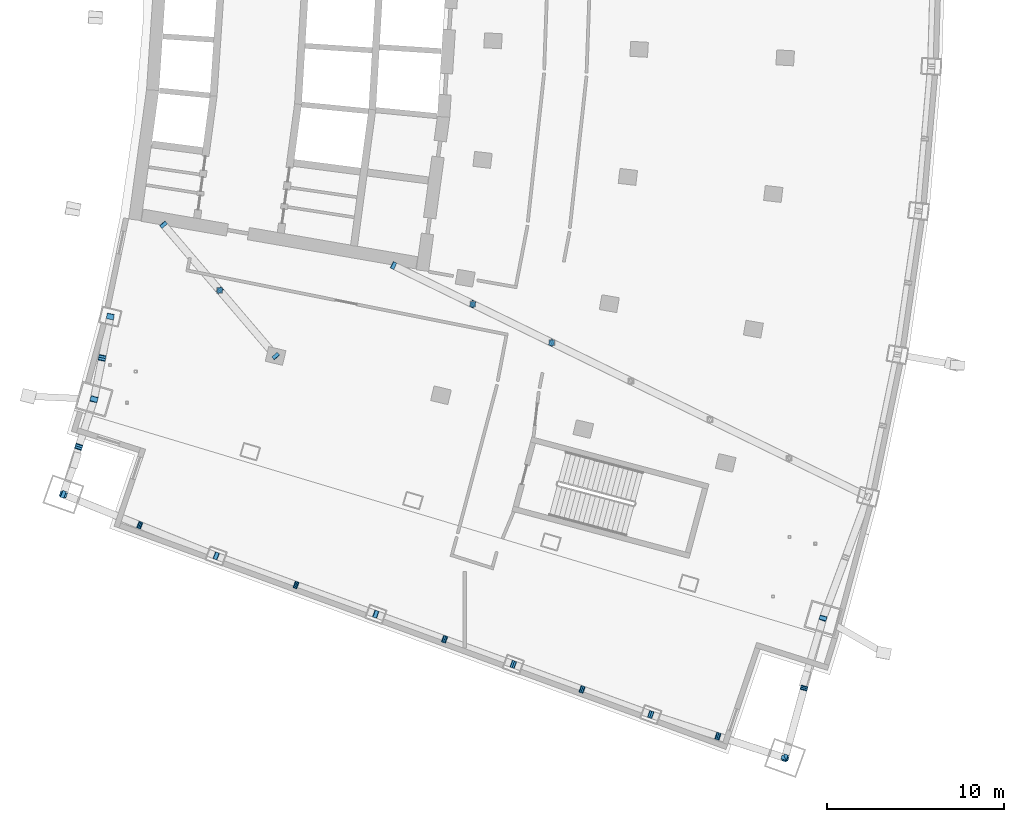
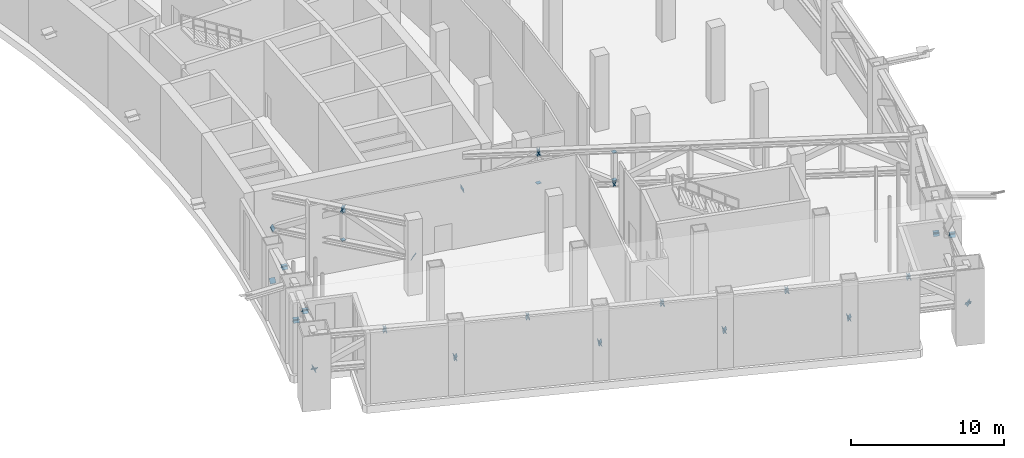
# One storey, part 22 of 26: 48 discrete accessories.
"""IFC4 building model written with IfcOpenShell, lengths in metres."""

import ifcopenshell
import ifcopenshell.guid

model = None  # the IFC model being written
_history = None  # IfcOwnerHistory: only IFC2X3 demands one
_inside = {}  # id of a spatial element -> (the spatial element, [elements in it])
_under = {}  # id of a project, library or spatial element -> (it, [spatial elements below it])
_declared = {}  # id of a project -> (the project, [libraries it declares])
_typed = {}  # id of a type object -> (the type object, [elements of that type])
_made_of = {}  # id of a material, layer set ... -> (it, [elements and type objects made of it])


def new_model(schema):
    """Start an empty IFC model of exactly this schema.

    Asked for "IFC4X3", IfcOpenShell would pick the latest addendum, in which some entities
    have other attributes; the version numbers below select the first issue.
    IFC2X3 requires an IfcOwnerHistory on every rooted entity: one is made here for all.
    """
    global model, _history
    if schema == "IFC4X3":
        model = ifcopenshell.file(schema_version=(4, 3, 0, 0))
    else:
        model = ifcopenshell.file(schema=schema)
    _inside.clear()
    _under.clear()
    _declared.clear()
    _typed.clear()
    _made_of.clear()
    _history = None
    if model.schema == "IFC2X3":
        org = make("IfcOrganization", Name="unknown")
        user = make(
            "IfcPersonAndOrganization",
            ThePerson=make("IfcPerson", FamilyName="unknown"),
            TheOrganization=org,
        )
        app = make(
            "IfcApplication",
            ApplicationDeveloper=org,
            Version="unknown",
            ApplicationFullName="unknown",
            ApplicationIdentifier="unknown",
        )
        _history = make(
            "IfcOwnerHistory",
            OwningUser=user,
            OwningApplication=app,
            ChangeAction="ADDED",
            CreationDate=0,
        )
    return model


def make(cls, **values):
    """One entity of the class cls with the attributes given. An attribute that is None is left unset."""
    return model.create_entity(
        cls, **{name: value for name, value in values.items() if value is not None}
    )


def rooted(cls, **values):
    """An entity with a GlobalId (a new one), such as an element, a storey or a relation."""
    return make(cls, GlobalId=ifcopenshell.guid.new(), OwnerHistory=_history, **values)


def si_unit(unit_type, name, prefix=None):
    """IfcSIUnit, for example si_unit("LENGTHUNIT", "METRE", prefix="MILLI")."""
    return make("IfcSIUnit", UnitType=unit_type, Prefix=prefix, Name=name)


def assignment(units):
    """IfcUnitAssignment: the units of a project."""
    return None if units is None else make("IfcUnitAssignment", Units=units)


def point(xyz):
    """IfcCartesianPoint."""
    return None if xyz is None else make("IfcCartesianPoint", Coordinates=xyz)


def direction(xyz):
    """IfcDirection."""
    return None if xyz is None else make("IfcDirection", DirectionRatios=xyz)


def frame(location, z_axis=None, x_axis=None):
    """IfcAxis2Placement3D, a coordinate frame: its origin and axes. An axis left out is left unset."""
    return make(
        "IfcAxis2Placement3D",
        Location=point(location),
        Axis=direction(z_axis),
        RefDirection=direction(x_axis),
    )


def frame_2d(location, x_axis=None):
    """IfcAxis2Placement2D, a coordinate frame in the plane: its origin and x axis."""
    return make(
        "IfcAxis2Placement2D", Location=point(location), RefDirection=direction(x_axis)
    )


def origin():
    """The frame at (0, 0, 0) with its axes left unset."""
    return frame((0.0, 0.0, 0.0))


def origin_2d():
    """The frame at (0, 0) in the plane with its x axis left unset."""
    return frame_2d((0.0, 0.0))


def place(relative_to, where):
    """IfcLocalPlacement: puts the frame where relative to a parent placement (None: the world)."""
    return make(
        "IfcLocalPlacement", PlacementRelTo=relative_to, RelativePlacement=where
    )


def context(
    kind, dimensions, precision=None, world=None, true_north=None, identifier=None
):
    """IfcGeometricRepresentationContext, for example the 3D "Model" context."""
    return make(
        "IfcGeometricRepresentationContext",
        ContextIdentifier=identifier,
        ContextType=kind,
        CoordinateSpaceDimension=dimensions,
        Precision=precision,
        WorldCoordinateSystem=world,
        TrueNorth=true_north,
    )


def subcontext(parent, identifier, kind, view, scale=None):
    """IfcGeometricRepresentationSubContext, for example "Body" below "Model"."""
    return make(
        "IfcGeometricRepresentationSubContext",
        ContextIdentifier=identifier,
        ContextType=kind,
        ParentContext=parent,
        TargetScale=scale,
        TargetView=view,
    )


def project(units=None, contexts=None):
    """IfcProject with its units and contexts."""
    return rooted(
        "IfcProject",
        Name="project",
        RepresentationContexts=contexts,
        UnitsInContext=assignment(units),
    )


def spatial(cls, under=None, at=None, **own):
    """A site, building, storey or space (cls), placed at a placement, below another one or the project."""
    s = rooted(cls, ObjectPlacement=at, **own)
    if under is not None:
        _under.setdefault(under.id(), (under, []))[1].append(s)
    return s


def profile(cls, at=None, kind="AREA", **sizes):
    """A parametric profile (cls). Its sizes go by their IFC names, for example OverallWidth=200.0."""
    return make(cls, ProfileType=kind, Position=at, **sizes)


def rectangle(**sizes):
    """IfcRectangleProfileDef."""
    return profile("IfcRectangleProfileDef", **sizes)


def extrude(swept, where, along, depth):
    """IfcExtrudedAreaSolid: the profile swept, set in the frame where, extruded along a direction by depth."""
    return make(
        "IfcExtrudedAreaSolid",
        SweptArea=swept,
        Position=where,
        ExtrudedDirection=direction(along),
        Depth=depth,
    )


def shape(context_of_items, identifier, shape_type, items):
    """IfcShapeRepresentation: the items that make up one representation, for example the "Body"."""
    return make(
        "IfcShapeRepresentation",
        ContextOfItems=context_of_items,
        RepresentationIdentifier=identifier,
        RepresentationType=shape_type,
        Items=items,
    )


def material(Name=None, Category=None):
    """IfcMaterial."""
    return make("IfcMaterial", Name=Name, Category=Category)


def material_profile(
    of_material, cross_section, Name=None, Category=None, Priority=None
):
    """IfcMaterialProfile: a cross section and its material."""
    return make(
        "IfcMaterialProfile",
        Name=Name,
        Material=of_material,
        Profile=cross_section,
        Priority=Priority,
        Category=Category,
    )


def profile_set(profiles, Name=None, composite=None):
    """IfcMaterialProfileSet."""
    return make(
        "IfcMaterialProfileSet",
        Name=Name,
        MaterialProfiles=profiles,
        CompositeProfile=composite,
    )


def made_of(thing, what):
    """Note that an element or type object is made of a material, layer set ...; save() writes the relation."""
    if what is not None:
        _made_of.setdefault(what.id(), (what, []))[1].append(thing)
    return thing


def type_object(cls, material=None, **own):
    """A type object (cls), such as IfcWallType, which elements share."""
    return made_of(rooted(cls, **own), material)


def element(
    cls,
    number,
    at=None,
    inside=None,
    cuts=None,
    type_object=None,
    material=None,
    context=None,
    identifier="Body",
    shape_type=None,
    held_by="IfcProductDefinitionShape",
    body=None,
    shapes=None,
    **own,
):
    """One element of the class cls, such as IfcWall. Its Tag is "e" and its number.

    at: its placement. inside: the storey or other place that contains it. cuts: it is an
    opening in that element (IfcRelVoidsElement). A single representation is given by context,
    identifier, shape_type and body (its items); several are given by shapes. held_by: the class
    of the entity that holds the representations. save() writes the other relations.
    """
    e = rooted(cls, Tag="e%d" % number, ObjectPlacement=at, **own)
    if body is not None:
        shapes = [shape(context, identifier, shape_type, body)]
    if shapes is not None:
        e.Representation = make(held_by, Representations=shapes)
    if inside is not None:
        _inside.setdefault(inside.id(), (inside, []))[1].append(e)
    if cuts is not None:
        rooted(
            "IfcRelVoidsElement", RelatingBuildingElement=cuts, RelatedOpeningElement=e
        )
    if type_object is not None:
        _typed.setdefault(type_object.id(), (type_object, []))[1].append(e)
    return made_of(e, material)


def aggregate(whole, parts):
    """IfcRelAggregates: a whole, such as a stair, and the parts it consists of."""
    return rooted("IfcRelAggregates", RelatingObject=whole, RelatedObjects=parts)


def save(model, path):
    """Write the relations noted so far, then the file.

    IfcRelAggregates (storeys below a building ...), IfcRelContainedInSpatialStructure (elements
    in a storey), IfcRelDefinesByType, IfcRelAssociatesMaterial and IfcRelDeclares: one each for
    every whole, place, type object, material and project.
    """
    for whole, parts in _under.values():
        aggregate(whole, parts)
    for where, things in _inside.values():
        rooted(
            "IfcRelContainedInSpatialStructure",
            RelatedElements=things,
            RelatingStructure=where,
        )
    for kind, things in _typed.values():
        rooted("IfcRelDefinesByType", RelatedObjects=things, RelatingType=kind)
    for what, things in _made_of.values():
        rooted("IfcRelAssociatesMaterial", RelatedObjects=things, RelatingMaterial=what)
    for by, libraries in _declared.values():
        rooted("IfcRelDeclares", RelatingContext=by, RelatedDefinitions=libraries)
    model.write(path)


model = new_model("IFC4")

# Units and contexts
model_context = context("Model", 3, precision=1e-05, world=origin(), true_north=direction((0.0, 1.0)))
body_context = subcontext(model_context, "Body", "Model", "MODEL_VIEW")
ifc_project = project(units=[si_unit("LENGTHUNIT", "METRE"), si_unit("AREAUNIT", "SQUARE_METRE"), si_unit("VOLUMEUNIT", "CUBIC_METRE"), si_unit("PLANEANGLEUNIT", "RADIAN"), si_unit("MASSUNIT", "GRAM", prefix="KILO")], contexts=[model_context])

# Site, building, storey
site_placement = place(None, origin())
site = spatial("IfcSite", under=ifc_project, at=site_placement, CompositionType="ELEMENT")
building_placement = place(site_placement, origin())
building = spatial("IfcBuilding", under=site, at=building_placement, Name="Alderwake Tower", CompositionType="ELEMENT")
storey_placement = place(building_placement, frame((0.0, 0.0, 132.800048828125)))
storey = spatial("IfcBuildingStorey", under=building, at=storey_placement, Name="L32", CompositionType="ELEMENT", Elevation=132.800048828125)

# Discrete accessories
ifc_material_1 = material(Name="Steel ASTM A572 Grade 50", Category="steel")
ifc_material_profile_1 = material_profile(ifc_material_1, rectangle(XDim=0.3046875, YDim=0.3046875, at=origin_2d()), Name="HSS12X12X1/2 cap")
ifc_profile_set_1 = profile_set([ifc_material_profile_1], Name="Steel ASTM A572 Grade 50")
discrete_accessory_type_1 = type_object("IfcDiscreteAccessoryType", Name="End cap plate HSS12X12X1/2", PredefinedType="USERDEFINED", material=ifc_profile_set_1)
for number, where, z_axis, x_axis, name in (
    (1, (20.15869140625, 40.147216796875, 3.0146484375), (0.0, 0.0, -1.0), (1.0, 0.0, 0.0), "End cap OR32SR.P1 S"),
    (2, (20.15869140625, 40.147216796875, 5.21533203125), (0.0, 0.0, 1.0), (1.0, 0.0, 0.0), "End cap OR32SR.P1 N"),
    (3, (34.4599609375, 39.375, 3.0146484375), (0.0, 0.0, -1.0), (1.0, 0.0, 0.0), "End cap OR32SF.P1 S"),
    (4, (34.4599609375, 39.375, 5.21533203125), (0.0, 0.0, 1.0), (1.0, 0.0, 0.0), "End cap OR32SF.P1 N"),
    (5, (38.92578125, 37.197998046875, 3.0146484375), (0.0, 0.0, -1.0), (1.0, 0.0, 0.0), "End cap OR32SF.P2 S"),
    (6, (38.92578125, 37.197998046875, 5.21533203125), (0.0, 0.0, 1.0), (1.0, 0.0, 0.0), "End cap OR32SF.P2 N"),
):
    element("IfcDiscreteAccessory", number, at=place(storey_placement, frame(where, z_axis=z_axis, x_axis=x_axis)), inside=storey, type_object=discrete_accessory_type_1, Name=name, ObjectType="END CAP", PredefinedType="USERDEFINED", context=body_context, shape_type="SweptSolid", body=[
        extrude(rectangle(XDim=0.3046875, YDim=0.3046875, at=origin_2d()), origin(), (0.0, 0.0, 1.0), 0.030029296875),
    ])
ifc_material_2 = material(Name="Steel ASTM A572 Grade 50", Category="steel")
ifc_material_profile_2 = material_profile(ifc_material_2, rectangle(XDim=0.406494140625, YDim=0.406494140625, at=origin_2d()), Name="HSS16X16X5/8 cap")
ifc_profile_set_2 = profile_set([ifc_material_profile_2], Name="Steel ASTM A572 Grade 50")
discrete_accessory_type_2 = type_object("IfcDiscreteAccessoryType", Name="End cap plate HSS16X16X5/8", PredefinedType="USERDEFINED", material=ifc_profile_set_2)
for number, where, z_axis, x_axis, name in (
    (7, (11.330810546875, 28.622802734375, 2.7822265625), (-0.219135921304, -0.69798849008, -0.681756199613), (0.954084337507, -0.299538105962, 0.0), "End cap BT32R01.D1 S"),
    (8, (12.197021484375, 31.3125, 5.44775390625), (0.219135921304, 0.69798849008, 0.681756199613), (-0.954084337507, 0.299538105962, 0.0), "End cap BT32R01.D1 N"),
    (9, (13.06298828125, 34.00244140625, 2.7822265625), (0.228125305468, 0.692523248743, -0.684375916405), (-0.949794781049, 0.312873574934, 0.0), "End cap BT32R01.D2 S"),
    (10, (12.197021484375, 31.3125, 5.44775390625), (-0.228125305468, -0.692523248743, 0.684375916405), (0.949794781049, -0.312873574934, 0.0), "End cap BT32R01.D2 N"),
    (11, (13.06298828125, 34.00244140625, 2.7822265625), (-0.130120009726, -0.650600048632, -0.748190055927), (0.980580675691, -0.196116135138, 0.0), "End cap BT32R02.D1 S"),
):
    element("IfcDiscreteAccessory", number, at=place(storey_placement, frame(where, z_axis=z_axis, x_axis=x_axis)), inside=storey, type_object=discrete_accessory_type_2, Name=name, ObjectType="END CAP", PredefinedType="USERDEFINED", context=body_context, shape_type="SweptSolid", body=[
        extrude(rectangle(XDim=0.406494140625, YDim=0.406494140625, at=origin_2d()), origin(), (0.0, 0.0, 1.0), 0.030029296875),
    ])
discrete_accessory_1_placement = place(storey_placement, frame((13.522705078125, 36.333251953125, 5.44775390625), z_axis=(0.130914663015, 0.654573315077, 0.7445771459), x_axis=(-0.980580675691, 0.196116135138, 0.0)))
element("IfcDiscreteAccessory", 12, at=discrete_accessory_1_placement, inside=storey, type_object=discrete_accessory_type_2, Name="End cap BT32R02.D1 N", ObjectType="END CAP", PredefinedType="USERDEFINED", context=body_context, shape_type="SweptSolid", body=[
    extrude(rectangle(XDim=0.406494140625, YDim=0.406494140625, at=origin_2d()), origin(), (0.0, 0.0, 1.0), 0.02978515625),
])
discrete_accessory_2_placement = place(storey_placement, frame((13.982177734375, 38.6640625, 2.7822265625), z_axis=(0.130120009726, 0.650600048632, -0.748190055927), x_axis=(-0.980580675691, 0.196116135138, 0.0)))
element("IfcDiscreteAccessory", 13, at=discrete_accessory_2_placement, inside=storey, type_object=discrete_accessory_type_2, Name="End cap BT32R02.D2 S", ObjectType="END CAP", PredefinedType="USERDEFINED", context=body_context, shape_type="SweptSolid", body=[
    extrude(rectangle(XDim=0.406494140625, YDim=0.406494140625, at=origin_2d()), origin(), (0.0, 0.0, 1.0), 0.030029296875),
])
discrete_accessory_3_placement = place(storey_placement, frame((13.522705078125, 36.333251953125, 5.44775390625), z_axis=(-0.130914663015, -0.654573315077, 0.7445771459), x_axis=(0.980580675691, -0.196116135138, 0.0)))
element("IfcDiscreteAccessory", 14, at=discrete_accessory_3_placement, inside=storey, type_object=discrete_accessory_type_2, Name="End cap BT32R02.D2 N", ObjectType="END CAP", PredefinedType="USERDEFINED", context=body_context, shape_type="SweptSolid", body=[
    extrude(rectangle(XDim=0.406494140625, YDim=0.406494140625, at=origin_2d()), origin(), (0.0, 0.0, 1.0), 0.02978515625),
])
for number, where, z_axis, x_axis, name in (
    (15, (52.09912109375, 13.736083984375, 2.7822265625), (-0.218869363169, -0.810627270994, -0.543120271566), (0.965429082558, -0.260665852291, 0.0), "End cap BT32F01.D1 S"),
    (16, (53.173095703125, 17.684326171875, 5.44775390625), (0.218869363169, 0.810627270994, 0.543120271566), (-0.965429082558, 0.260665852291, 0.0), "End cap BT32F01.D1 N"),
    (17, (54.246826171875, 21.6328125, 2.7822265625), (0.218869363169, 0.810627270994, -0.543120271566), (-0.965429082558, 0.260665852291, 0.0), "End cap BT32F01.D2 S"),
    (18, (53.173095703125, 17.684326171875, 5.44775390625), (-0.220314588435, -0.807820157596, 0.546706571302), (0.964763821238, -0.263117405792, 0.0), "End cap BT32F01.D2 N"),
):
    element("IfcDiscreteAccessory", number, at=place(storey_placement, frame(where, z_axis=z_axis, x_axis=x_axis)), inside=storey, type_object=discrete_accessory_type_2, Name=name, ObjectType="END CAP", PredefinedType="USERDEFINED", context=body_context, shape_type="SweptSolid", body=[
        extrude(rectangle(XDim=0.406494140625, YDim=0.406494140625, at=origin_2d()), origin(), (0.0, 0.0, 1.0), 0.030029296875),
    ])
discrete_accessory_4_placement = place(storey_placement, frame((54.246826171875, 21.6328125, 2.7822265625), z_axis=(-0.277710683441, -0.759620398824, -0.588093211993), x_axis=(0.939202304561, -0.343364283388, 0.0)))
element("IfcDiscreteAccessory", 19, at=discrete_accessory_4_placement, inside=storey, type_object=discrete_accessory_type_2, Name="End cap BT32F02.D1 S", ObjectType="END CAP", PredefinedType="USERDEFINED", context=body_context, shape_type="SweptSolid", body=[
    extrude(rectangle(XDim=0.406494140625, YDim=0.406494140625, at=origin_2d()), origin(), (0.0, 0.0, 1.0), 0.02978515625),
])
for number, where, z_axis, x_axis, name in (
    (20, (11.330810546875, 28.622802734375, 2.7822265625), (-0.807175491543, 0.317978223941, -0.497350555395), (-0.366524518382, -0.930408392817, 0.0), "End cap BT32E010.D1 S"),
    (21, (15.648193359375, 26.885498046875, 5.44775390625), (0.807175491543, -0.317978223941, 0.497350555395), (0.366524518382, 0.930408392817, 0.0), "End cap BT32E010.D1 N"),
    (22, (19.965576171875, 25.1484375, 2.7822265625), (0.807175491543, -0.317978223941, -0.497350555395), (0.366524518382, 0.930408392817, 0.0), "End cap BT32E010.D2 S"),
):
    element("IfcDiscreteAccessory", number, at=place(storey_placement, frame(where, z_axis=z_axis, x_axis=x_axis)), inside=storey, type_object=discrete_accessory_type_2, Name=name, ObjectType="END CAP", PredefinedType="USERDEFINED", context=body_context, shape_type="SweptSolid", body=[
        extrude(rectangle(XDim=0.406494140625, YDim=0.406494140625, at=origin_2d()), origin(), (0.0, 0.0, 1.0), 0.030029296875),
    ])
discrete_accessory_5_placement = place(storey_placement, frame((15.648193359375, 26.885498046875, 5.44775390625), z_axis=(-0.807897833883, 0.323159133553, 0.492817678669), x_axis=(-0.371390676354, -0.928476690885, 0.0)))
element("IfcDiscreteAccessory", 23, at=discrete_accessory_5_placement, inside=storey, type_object=discrete_accessory_type_2, Name="End cap BT32E010.D2 N", ObjectType="END CAP", PredefinedType="USERDEFINED", context=body_context, shape_type="SweptSolid", body=[
    extrude(rectangle(XDim=0.406494140625, YDim=0.406494140625, at=origin_2d()), origin(), (0.0, 0.0, 1.0), 0.0302734375),
])
for number, where, z_axis, x_axis, name in (
    (24, (19.965576171875, 25.1484375, 2.7822265625), (-0.820027814375, 0.300406229028, -0.487145236262), (-0.34398146721, -0.938976437519, 0.0), "End cap BT32E011.D1 S"),
    (25, (24.474609375, 23.50244140625, 5.44775390625), (0.823263186916, -0.301591464514, 0.48091611909), (0.34398146721, 0.938976437519, 0.0), "End cap BT32E011.D1 N"),
    (26, (28.983642578125, 21.856689453125, 2.7822265625), (0.820027814375, -0.300406229028, -0.487145236262), (0.34398146721, 0.938976437519, 0.0), "End cap BT32E011.D2 S"),
    (27, (24.474609375, 23.50244140625, 5.44775390625), (-0.823263186916, 0.301591464514, 0.48091611909), (-0.34398146721, -0.938976437519, 0.0), "End cap BT32E011.D2 N"),
    (28, (28.983642578125, 21.856689453125, 2.7822265625), (-0.788774311428, 0.284609287629, -0.544823493461), (-0.339406156989, -0.940639920798, 0.0), "End cap BT32E012.D1 S"),
):
    element("IfcDiscreteAccessory", number, at=place(storey_placement, frame(where, z_axis=z_axis, x_axis=x_axis)), inside=storey, type_object=discrete_accessory_type_2, Name=name, ObjectType="END CAP", PredefinedType="USERDEFINED", context=body_context, shape_type="SweptSolid", body=[
        extrude(rectangle(XDim=0.406494140625, YDim=0.406494140625, at=origin_2d()), origin(), (0.0, 0.0, 1.0), 0.030029296875),
    ])
discrete_accessory_6_placement = place(storey_placement, frame((32.866455078125, 20.439208984375, 5.44775390625), z_axis=(0.792265816135, -0.285869108915, 0.539067462525), x_axis=(0.339406156989, 0.940639920798, 0.0)))
element("IfcDiscreteAccessory", 29, at=discrete_accessory_6_placement, inside=storey, type_object=discrete_accessory_type_2, Name="End cap BT32E012.D1 N", ObjectType="END CAP", PredefinedType="USERDEFINED", context=body_context, shape_type="SweptSolid", body=[
    extrude(rectangle(XDim=0.406494140625, YDim=0.406494140625, at=origin_2d()), origin(), (0.0, 0.0, 1.0), 0.02978515625),
])
for number, where, z_axis, x_axis, name in (
    (30, (36.749267578125, 19.02197265625, 2.7822265625), (0.786929222793, -0.292056206397, -0.543549050795), (0.347943850259, 0.93751537431, 0.0), "End cap BT32E012.D2 S"),
    (31, (32.866455078125, 20.439208984375, 5.44775390625), (-0.790396175221, 0.293342910391, 0.537795335717), (-0.347943850259, -0.93751537431, 0.0), "End cap BT32E012.D2 N"),
    (32, (36.749267578125, 19.02197265625, 2.7822265625), (-0.788774311428, 0.284609287629, -0.544823493461), (-0.339406156989, -0.940639920798, 0.0), "End cap BT32E013.D1 S"),
):
    element("IfcDiscreteAccessory", number, at=place(storey_placement, frame(where, z_axis=z_axis, x_axis=x_axis)), inside=storey, type_object=discrete_accessory_type_2, Name=name, ObjectType="END CAP", PredefinedType="USERDEFINED", context=body_context, shape_type="SweptSolid", body=[
        extrude(rectangle(XDim=0.406494140625, YDim=0.406494140625, at=origin_2d()), origin(), (0.0, 0.0, 1.0), 0.030029296875),
    ])
discrete_accessory_7_placement = place(storey_placement, frame((40.632080078125, 17.6044921875, 5.44775390625), z_axis=(0.792265816135, -0.285869108915, 0.539067462525), x_axis=(0.339406156989, 0.940639920798, 0.0)))
element("IfcDiscreteAccessory", 33, at=discrete_accessory_7_placement, inside=storey, type_object=discrete_accessory_type_2, Name="End cap BT32E013.D1 N", ObjectType="END CAP", PredefinedType="USERDEFINED", context=body_context, shape_type="SweptSolid", body=[
    extrude(rectangle(XDim=0.406494140625, YDim=0.406494140625, at=origin_2d()), origin(), (0.0, 0.0, 1.0), 0.02978515625),
])
for number, where, z_axis, x_axis, name in (
    (34, (44.514892578125, 16.187255859375, 2.7822265625), (0.788774311428, -0.284609287629, -0.544823493461), (0.339406156989, 0.940639920798, 0.0), "End cap BT32E013.D2 S"),
    (35, (40.632080078125, 17.6044921875, 5.44775390625), (-0.790396175221, 0.293342910391, 0.537795335717), (-0.347943850259, -0.93751537431, 0.0), "End cap BT32E013.D2 N"),
    (36, (44.514892578125, 16.187255859375, 2.7822265625), (-0.790501155455, 0.260783886336, -0.554165758463), (-0.313289164578, -0.949657780128, 0.0), "End cap BT32E014.D1 S"),
    (37, (48.306884765625, 14.961669921875, 5.44775390625), (0.795172742595, -0.251534234902, 0.55175251527), (0.30159694852, 0.953435514675, 0.0), "End cap BT32E014.D1 N"),
    (38, (52.09912109375, 13.736083984375, 2.7822265625), (0.790501155455, -0.260783886336, -0.554165758463), (0.313289164578, 0.949657780128, 0.0), "End cap BT32E014.D2 S"),
    (39, (48.306884765625, 14.961669921875, 5.44775390625), (-0.790501155455, 0.260783886336, 0.554165758463), (-0.313289164578, -0.949657780128, 0.0), "End cap BT32E014.D2 N"),
    (40, (16.99560546875, 43.850341796875, 2.7822265625), (-0.569557631324, 0.667196082408, -0.48005571783), (-0.760564502202, -0.649262379928, 0.0), "End cap OR32SR.D1 S"),
    (41, (20.15869140625, 40.147216796875, 5.44775390625), (0.569557631324, -0.667196082408, 0.48005571783), (0.760564502202, 0.649262379928, 0.0), "End cap OR32SR.D1 N"),
):
    element("IfcDiscreteAccessory", number, at=place(storey_placement, frame(where, z_axis=z_axis, x_axis=x_axis)), inside=storey, type_object=discrete_accessory_type_2, Name=name, ObjectType="END CAP", PredefinedType="USERDEFINED", context=body_context, shape_type="SweptSolid", body=[
        extrude(rectangle(XDim=0.406494140625, YDim=0.406494140625, at=origin_2d()), origin(), (0.0, 0.0, 1.0), 0.030029296875),
    ])
discrete_accessory_8_placement = place(storey_placement, frame((23.322021484375, 36.444091796875, 2.7822265625), z_axis=(0.572655813526, -0.662644584223, -0.482667042829), x_axis=(0.756612936614, 0.653863031642, 0.0)))
element("IfcDiscreteAccessory", 42, at=discrete_accessory_8_placement, inside=storey, type_object=discrete_accessory_type_2, Name="End cap OR32SR.D2 S", ObjectType="END CAP", PredefinedType="USERDEFINED", context=body_context, shape_type="SweptSolid", body=[
    extrude(rectangle(XDim=0.406494140625, YDim=0.406494140625, at=origin_2d()), origin(), (0.0, 0.0, 1.0), 0.02978515625),
])
for number, where, z_axis, x_axis, name in (
    (43, (20.15869140625, 40.147216796875, 5.44775390625), (-0.569557631324, 0.667196082408, 0.48005571783), (-0.760564502202, -0.649262379928, 0.0), "End cap OR32SR.D2 N"),
    (44, (29.993896484375, 41.552001953125, 2.7822265625), (-0.789976672146, 0.390916291371, -0.472357185407), (-0.443513828814, -0.896267529062, 0.0), "End cap OR32SF.D1 S"),
):
    element("IfcDiscreteAccessory", number, at=place(storey_placement, frame(where, z_axis=z_axis, x_axis=x_axis)), inside=storey, type_object=discrete_accessory_type_2, Name=name, ObjectType="END CAP", PredefinedType="USERDEFINED", context=body_context, shape_type="SweptSolid", body=[
        extrude(rectangle(XDim=0.406494140625, YDim=0.406494140625, at=origin_2d()), origin(), (0.0, 0.0, 1.0), 0.030029296875),
    ])
discrete_accessory_9_placement = place(storey_placement, frame((34.4599609375, 39.375, 5.44775390625), z_axis=(0.792477312619, -0.383983852506, 0.473852413731), x_axis=(0.436045864409, 0.899924443568, 0.0)))
element("IfcDiscreteAccessory", 45, at=discrete_accessory_9_placement, inside=storey, type_object=discrete_accessory_type_2, Name="End cap OR32SF.D1 N", ObjectType="END CAP", PredefinedType="USERDEFINED", context=body_context, shape_type="SweptSolid", body=[
    extrude(rectangle(XDim=0.406494140625, YDim=0.406494140625, at=origin_2d()), origin(), (0.0, 0.0, 1.0), 0.02978515625),
])
discrete_accessory_10_placement = place(storey_placement, frame((38.92578125, 37.197998046875, 2.7822265625), z_axis=(0.795487040134, -0.381509090676, -0.470798452324), x_axis=(0.432431931953, 0.901666581519, 0.0)))
element("IfcDiscreteAccessory", 46, at=discrete_accessory_10_placement, inside=storey, type_object=discrete_accessory_type_2, Name="End cap OR32SF.D2 S", ObjectType="END CAP", PredefinedType="USERDEFINED", context=body_context, shape_type="SweptSolid", body=[
    extrude(rectangle(XDim=0.406494140625, YDim=0.406494140625, at=origin_2d()), origin(), (0.0, 0.0, 1.0), 0.030029296875),
])
discrete_accessory_11_placement = place(storey_placement, frame((34.4599609375, 39.375, 5.44775390625), z_axis=(-0.79300900323, 0.388412573011, 0.469331859054), x_axis=(-0.43986744881, -0.898062707987, 0.0)))
element("IfcDiscreteAccessory", 47, at=discrete_accessory_11_placement, inside=storey, type_object=discrete_accessory_type_2, Name="End cap OR32SF.D2 N", ObjectType="END CAP", PredefinedType="USERDEFINED", context=body_context, shape_type="SweptSolid", body=[
    extrude(rectangle(XDim=0.406494140625, YDim=0.406494140625, at=origin_2d()), origin(), (0.0, 0.0, 1.0), 0.0302734375),
])
discrete_accessory_12_placement = place(storey_placement, frame((38.92578125, 37.197998046875, 2.7822265625), z_axis=(-0.789976672146, 0.390916291371, -0.472357185407), x_axis=(-0.443513828814, -0.896267529062, 0.0)))
element("IfcDiscreteAccessory", 48, at=discrete_accessory_12_placement, inside=storey, type_object=discrete_accessory_type_2, Name="End cap OR32SF.D3 S", ObjectType="END CAP", PredefinedType="USERDEFINED", context=body_context, shape_type="SweptSolid", body=[
    extrude(rectangle(XDim=0.406494140625, YDim=0.406494140625, at=origin_2d()), origin(), (0.0, 0.0, 1.0), 0.030029296875),
])

save(model, "model.ifc")
